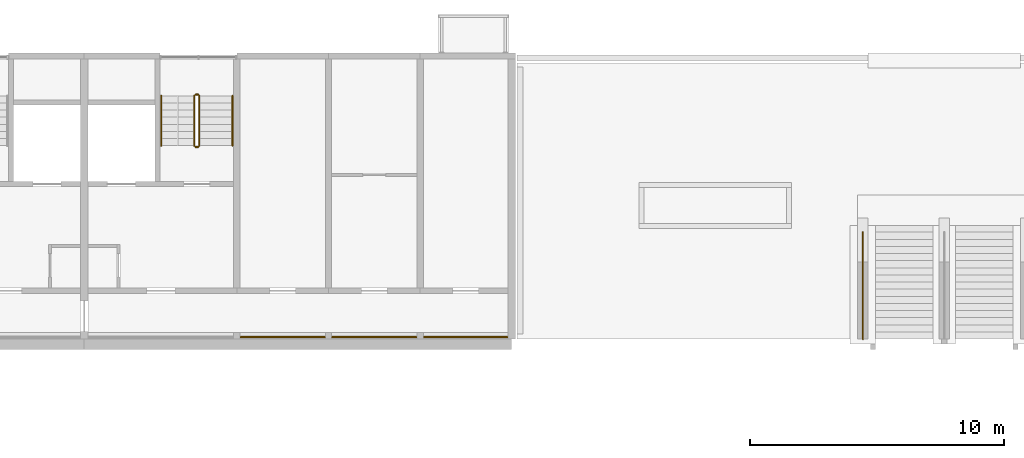
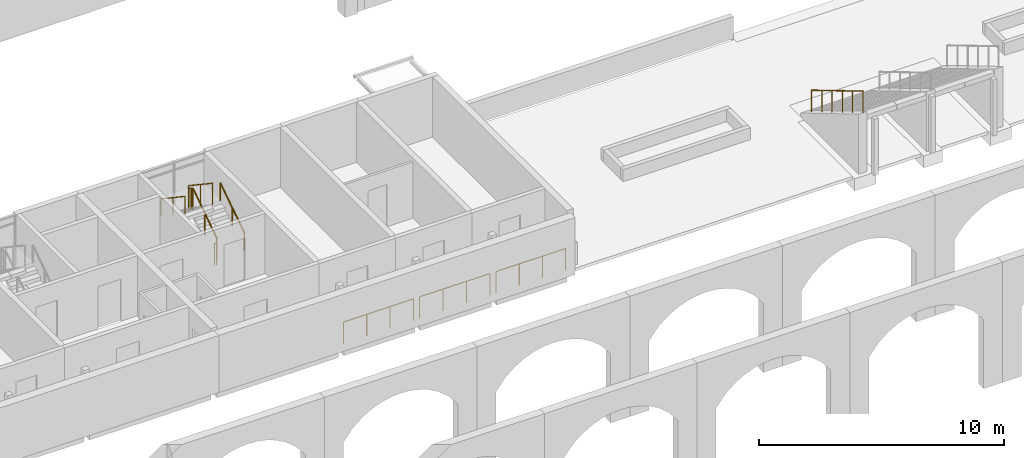
# One storey, part 105 of 122: 10 railings.
"""IFC4 building model written with IfcOpenShell, lengths in metres."""

from ifc_helpers import new_model, si_unit, direction, frame, origin, origin_2d, place, context, subcontext, project, spatial, circle, extrude, material, type_object, element, save


model = new_model("IFC4")

# Units and contexts
model_context = context("Model", 3, precision=1e-05, world=origin(), true_north=direction((0.0, 1.0)))
body_context = subcontext(model_context, "Body", "Model", "MODEL_VIEW")
ifc_project = project(units=[si_unit("LENGTHUNIT", "METRE"), si_unit("AREAUNIT", "SQUARE_METRE"), si_unit("VOLUMEUNIT", "CUBIC_METRE"), si_unit("PLANEANGLEUNIT", "RADIAN"), si_unit("MASSUNIT", "GRAM", prefix="KILO")], contexts=[model_context])

# Site, building, storey
site_placement = place(None, origin())
site = spatial("IfcSite", under=ifc_project, at=site_placement, CompositionType="ELEMENT")
building_placement = place(site_placement, origin())
building = spatial("IfcBuilding", under=site, at=building_placement, Name="Ridgestep Commons", CompositionType="ELEMENT")
storey_placement = place(building_placement, frame((0.0, 0.0, 3.0)))
storey = spatial("IfcBuildingStorey", under=building, at=storey_placement, Name="L01", CompositionType="ELEMENT", Elevation=3.0)

# Railings
ifc_material_1 = material(Name="Structural steel S355JR", Category="steel")
railing_type_1 = type_object("IfcRailingType", Name="Community stair guard 1100", PredefinedType="GUARDRAIL", material=ifc_material_1)
railing_1_placement = place(storey_placement, frame((126.60009765625, 15.949951171875, 0.5)))
element("IfcRailing", 1, at=railing_1_placement, inside=storey, type_object=railing_type_1, Name="Stair guard", PredefinedType="GUARDRAIL", context=body_context, shape_type="SweptSolid", body=[
    extrude(circle(Radius=0.02392578125, at=origin_2d()), frame((0.0, 0.0, 1.076171875), z_axis=(0.0, -0.859290270856, 0.511488250512), x_axis=(1.0, 0.0, 0.0)), (0.0, 0.0, 1.0), 4.8876953125),
    extrude(circle(Radius=0.02099609375, at=origin_2d()), origin(), (0.0, 0.0, 1.0), 1.052001953125),
    extrude(circle(Radius=0.02099609375, at=origin_2d()), frame((0.0, -0.840087890625, 0.5)), (0.0, 0.0, 1.0), 1.052001953125),
    extrude(circle(Radius=0.02099609375, at=origin_2d()), frame((0.0, -1.679931640625, 1.0)), (0.0, 0.0, 1.0), 1.052001953125),
    extrude(circle(Radius=0.02099609375, at=origin_2d()), frame((0.0, -2.52001953125, 1.5)), (0.0, 0.0, 1.0), 1.052001953125),
    extrude(circle(Radius=0.02099609375, at=origin_2d()), frame((0.0, -3.35986328125, 2.0)), (0.0, 0.0, 1.0), 1.052001953125),
    extrude(circle(Radius=0.02099609375, at=origin_2d()), frame((0.0, -4.199951171875, 2.5)), (0.0, 0.0, 1.0), 1.052001953125),
])
ifc_material_2 = material(Name="Structural steel S355JR galvanised", Category="steel")
railing_type_2 = type_object("IfcRailingType", Name="Passage guard 1100", PredefinedType="GUARDRAIL", material=ifc_material_2)
railing_2_placement = place(storey_placement, frame((102.14599609375, 11.830078125, 0.0)))
element("IfcRailing", 2, at=railing_2_placement, inside=storey, type_object=railing_type_2, Name="Passage guard A 01.22", PredefinedType="GUARDRAIL", context=body_context, shape_type="SweptSolid", body=[
    extrude(circle(Radius=0.02392578125, at=origin_2d()), frame((0.0, 0.0, 1.076171875), z_axis=(1.0, 0.0, 0.0), x_axis=(0.0, 1.0, 0.0)), (0.0, 0.0, 1.0), 3.30810546875),
    extrude(circle(Radius=0.02099609375, at=origin_2d()), origin(), (0.0, 0.0, 1.0), 1.052001953125),
    extrude(circle(Radius=0.02099609375, at=origin_2d()), frame((1.102783203125, 0.0, 0.0)), (0.0, 0.0, 1.0), 1.052001953125),
    extrude(circle(Radius=0.02099609375, at=origin_2d()), frame((2.205322265625, 0.0, 0.0)), (0.0, 0.0, 1.0), 1.052001953125),
    extrude(circle(Radius=0.02099609375, at=origin_2d()), frame((3.30810546875, 0.0, 0.0)), (0.0, 0.0, 1.0), 1.052001953125),
])
railing_3_placement = place(storey_placement, frame((105.74609375, 11.830078125, 0.0)))
element("IfcRailing", 3, at=railing_3_placement, inside=storey, type_object=railing_type_2, Name="Passage guard A 01.23", PredefinedType="GUARDRAIL", context=body_context, shape_type="SweptSolid", body=[
    extrude(circle(Radius=0.02392578125, at=origin_2d()), frame((0.0, 0.0, 1.076171875), z_axis=(1.0, 0.0, 0.0), x_axis=(0.0, 1.0, 0.0)), (0.0, 0.0, 1.0), 3.307861328125),
    extrude(circle(Radius=0.02099609375, at=origin_2d()), origin(), (0.0, 0.0, 1.0), 1.052001953125),
    extrude(circle(Radius=0.02099609375, at=origin_2d()), frame((1.1025390625, 0.0, 0.0)), (0.0, 0.0, 1.0), 1.052001953125),
    extrude(circle(Radius=0.02099609375, at=origin_2d()), frame((2.205322265625, 0.0, 0.0)), (0.0, 0.0, 1.0), 1.052001953125),
    extrude(circle(Radius=0.02099609375, at=origin_2d()), frame((3.307861328125, 0.0, 0.0)), (0.0, 0.0, 1.0), 1.052001953125),
])
railing_4_placement = place(storey_placement, frame((109.345947265625, 11.830078125, 0.0)))
element("IfcRailing", 4, at=railing_4_placement, inside=storey, type_object=railing_type_2, Name="Passage guard A 01.24", PredefinedType="GUARDRAIL", context=body_context, shape_type="SweptSolid", body=[
    extrude(circle(Radius=0.02392578125, at=origin_2d()), frame((0.0, 0.0, 1.076171875), z_axis=(1.0, 0.0, 0.0), x_axis=(0.0, 1.0, 0.0)), (0.0, 0.0, 1.0), 3.282958984375),
    extrude(circle(Radius=0.02099609375, at=origin_2d()), origin(), (0.0, 0.0, 1.0), 1.052001953125),
    extrude(circle(Radius=0.02099609375, at=origin_2d()), frame((1.09423828125, 0.0, 0.0)), (0.0, 0.0, 1.0), 1.052001953125),
    extrude(circle(Radius=0.02099609375, at=origin_2d()), frame((2.188720703125, 0.0, 0.0)), (0.0, 0.0, 1.0), 1.052001953125),
    extrude(circle(Radius=0.02099609375, at=origin_2d()), frame((3.282958984375, 0.0, 0.0)), (0.0, 0.0, 1.0), 1.052001953125),
])
ifc_material_3 = material(Name="Structural steel S355JR", Category="steel")
railing_type_3 = type_object("IfcRailingType", Name="Stair guard 1100", PredefinedType="GUARDRAIL", material=ifc_material_3)
railing_5_placement = place(storey_placement, frame((100.52490234375, 19.35009765625, 0.1875)))
element("IfcRailing", 5, at=railing_5_placement, inside=storey, type_object=railing_type_3, Name="L01 A6C stair guard 1", PredefinedType="GUARDRAIL", context=body_context, shape_type="SweptSolid", body=[
    extrude(circle(Radius=0.02392578125, at=origin_2d()), frame((0.0, 0.0, 1.076171875), z_axis=(0.0, 0.830902050051, 0.556418712142), x_axis=(-1.0, 0.0, 0.0)), (0.0, 0.0, 1.0), 2.35888671875),
    extrude(circle(Radius=0.02099609375, at=origin_2d()), origin(), (0.0, 0.0, 1.0), 1.052001953125),
    extrude(circle(Radius=0.02099609375, at=origin_2d()), frame((0.0, 0.97998046875, 0.65625)), (0.0, 0.0, 1.0), 1.052001953125),
    extrude(circle(Radius=0.02099609375, at=origin_2d()), frame((0.0, 1.9599609375, 1.3125)), (0.0, 0.0, 1.0), 1.052001953125),
])
railing_6_placement = place(storey_placement, frame((100.47509765625, 21.360107421875, 1.5)))
element("IfcRailing", 6, at=railing_6_placement, inside=storey, type_object=railing_type_3, Name="L01 A6C stair guard 2", PredefinedType="GUARDRAIL", context=body_context, shape_type="SweptSolid", body=[
    extrude(circle(Radius=0.02392578125, at=origin_2d()), frame((0.0, 0.0, 1.076171875), z_axis=(-1.0, 0.0, 0.0), x_axis=(0.0, -1.0, 0.0)), (0.0, 0.0, 1.0), 0.10009765625),
    extrude(circle(Radius=0.02099609375, at=origin_2d()), origin(), (0.0, 0.0, 1.0), 1.052001953125),
    extrude(circle(Radius=0.02099609375, at=origin_2d()), frame((-0.10009765625, 0.0, 0.0)), (0.0, 0.0, 1.0), 1.052001953125),
])
railing_7_placement = place(storey_placement, frame((100.324951171875, 21.31005859375, 1.6875)))
element("IfcRailing", 7, at=railing_7_placement, inside=storey, type_object=railing_type_3, Name="L01 A6C stair guard 3", PredefinedType="GUARDRAIL", context=body_context, shape_type="SweptSolid", body=[
    extrude(circle(Radius=0.02392578125, at=origin_2d()), frame((0.0, 0.0, 1.076171875), z_axis=(0.0, -0.830902050051, 0.556418712142), x_axis=(1.0, 0.0, 0.0)), (0.0, 0.0, 1.0), 2.35888671875),
    extrude(circle(Radius=0.02099609375, at=origin_2d()), origin(), (0.0, 0.0, 1.0), 1.052001953125),
    extrude(circle(Radius=0.02099609375, at=origin_2d()), frame((0.0, -0.97998046875, 0.65625)), (0.0, 0.0, 1.0), 1.052001953125),
    extrude(circle(Radius=0.02099609375, at=origin_2d()), frame((0.0, -1.9599609375, 1.3125)), (0.0, 0.0, 1.0), 1.052001953125),
])
railing_8_placement = place(storey_placement, frame((100.47509765625, 19.300048828125, 0.0)))
element("IfcRailing", 8, at=railing_8_placement, inside=storey, type_object=railing_type_3, Name="L01 A6C stair guard 4", PredefinedType="GUARDRAIL", context=body_context, shape_type="SweptSolid", body=[
    extrude(circle(Radius=0.02392578125, at=origin_2d()), frame((0.0, 0.0, 1.076171875), z_axis=(-1.0, 0.0, 0.0), x_axis=(0.0, -1.0, 0.0)), (0.0, 0.0, 1.0), 0.10009765625),
    extrude(circle(Radius=0.02099609375, at=origin_2d()), origin(), (0.0, 0.0, 1.0), 1.052001953125),
    extrude(circle(Radius=0.02099609375, at=origin_2d()), frame((-0.10009765625, 0.0, 0.0)), (0.0, 0.0, 1.0), 1.052001953125),
])
ifc_material_4 = material(Name="Structural steel S355JR", Category="steel")
railing_type_4 = type_object("IfcRailingType", Name="Stair handrail 900", PredefinedType="HANDRAIL", material=ifc_material_4)
railing_9_placement = place(storey_placement, frame((101.824951171875, 19.35009765625, 0.1875)))
element("IfcRailing", 9, at=railing_9_placement, inside=storey, type_object=railing_type_4, Name="L01 A6C stair handrail 1", PredefinedType="HANDRAIL", context=body_context, shape_type="SweptSolid", body=[
    extrude(circle(Radius=0.02392578125, at=origin_2d()), frame((0.0, 0.0, 0.8759765625), z_axis=(0.0, 0.830902050051, 0.556418712142), x_axis=(-1.0, 0.0, 0.0)), (0.0, 0.0, 1.0), 2.35888671875),
    extrude(circle(Radius=0.02099609375, at=origin_2d()), origin(), (0.0, 0.0, 1.0), 0.851806640625),
    extrude(circle(Radius=0.02099609375, at=origin_2d()), frame((0.0, 0.97998046875, 0.65625)), (0.0, 0.0, 1.0), 0.851806640625),
    extrude(circle(Radius=0.02099609375, at=origin_2d()), frame((0.0, 1.9599609375, 1.3125)), (0.0, 0.0, 1.0), 0.851806640625),
])
railing_10_placement = place(storey_placement, frame((99.02490234375, 21.31005859375, 1.6875)))
element("IfcRailing", 10, at=railing_10_placement, inside=storey, type_object=railing_type_4, Name="L01 A6C stair handrail 2", PredefinedType="HANDRAIL", context=body_context, shape_type="SweptSolid", body=[
    extrude(circle(Radius=0.02392578125, at=origin_2d()), frame((0.0, 0.0, 0.8759765625), z_axis=(0.0, -0.830902050051, 0.556418712142), x_axis=(1.0, 0.0, 0.0)), (0.0, 0.0, 1.0), 2.35888671875),
    extrude(circle(Radius=0.02099609375, at=origin_2d()), origin(), (0.0, 0.0, 1.0), 0.851806640625),
    extrude(circle(Radius=0.02099609375, at=origin_2d()), frame((0.0, -0.97998046875, 0.65625)), (0.0, 0.0, 1.0), 0.851806640625),
    extrude(circle(Radius=0.02099609375, at=origin_2d()), frame((0.0, -1.9599609375, 1.3125)), (0.0, 0.0, 1.0), 0.851806640625),
])

save(model, "model.ifc")
